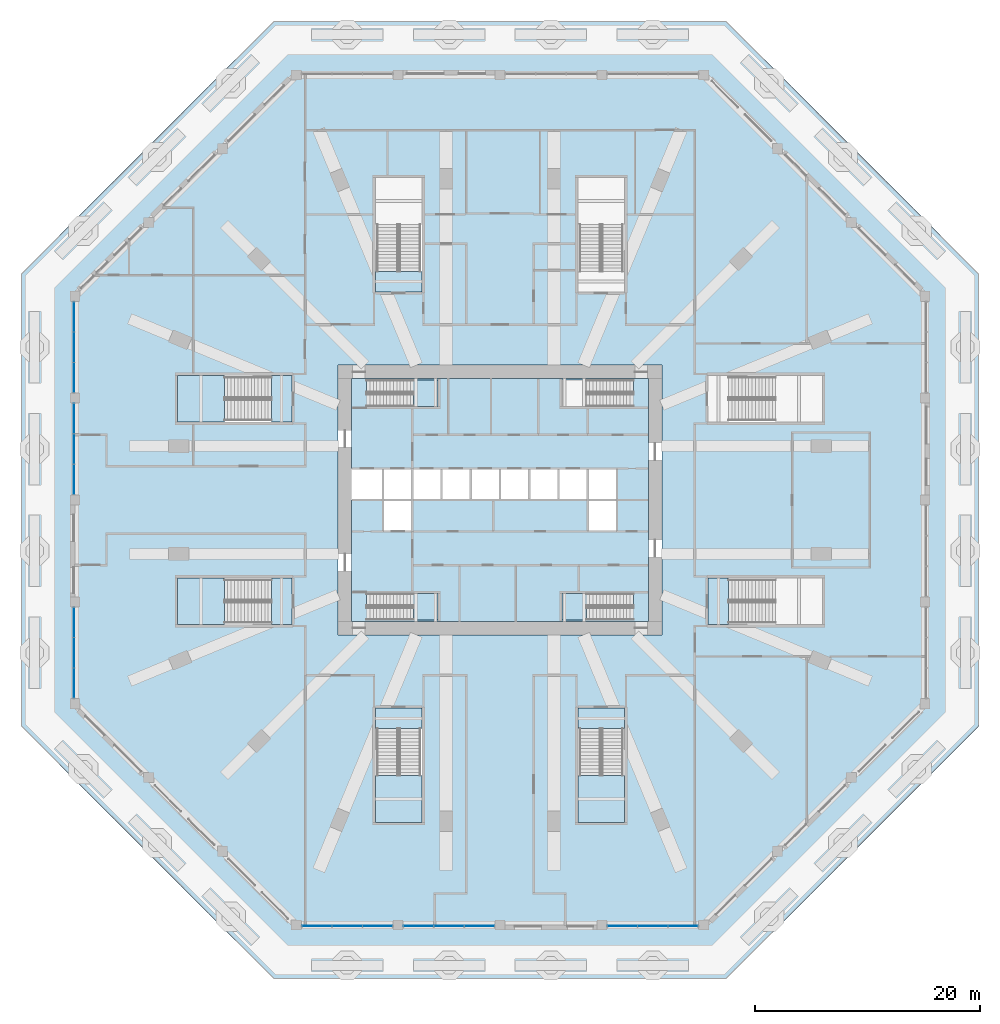
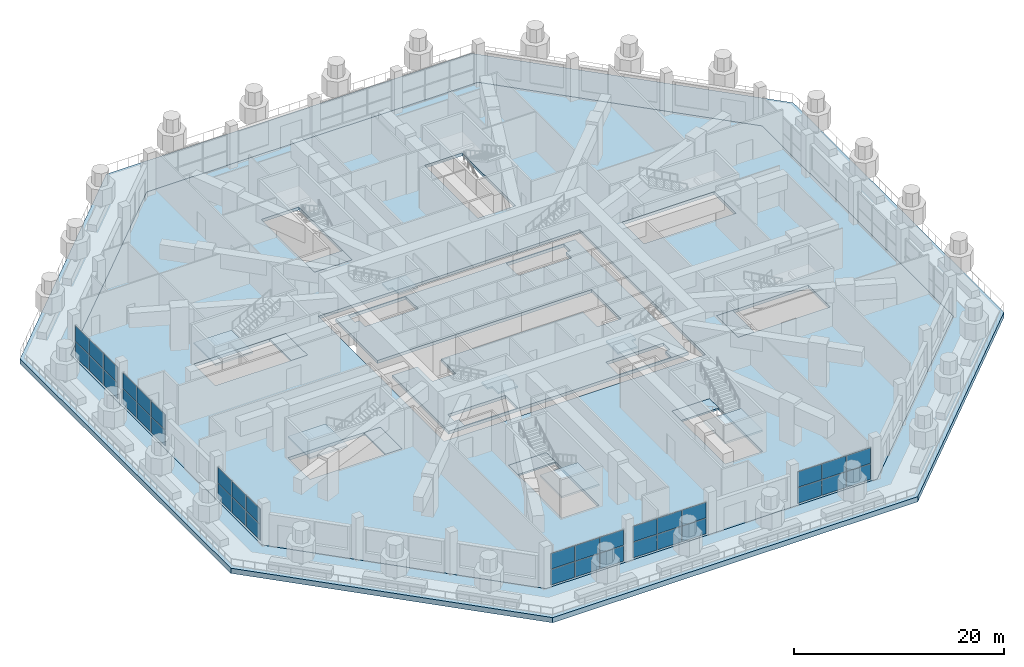
# One storey, part 12 of 25: 36 plates, 16 slabs, 13 elements without a shape of their own.
"""IFC4 building model written with IfcOpenShell, lengths in metres."""

from ifc_helpers import new_model, si_unit, direction, frame, origin, origin_2d, place, context, subcontext, project, spatial, polyline, rectangle, outline, extrude, material, layer, layer_set, type_object, element, aggregate, save


model = new_model("IFC4")

# Units and contexts
model_context = context("Model", 3, precision=1e-05, world=origin(), true_north=direction((0.0, 1.0)))
body_context = subcontext(model_context, "Body", "Model", "MODEL_VIEW")
ifc_project = project(units=[si_unit("LENGTHUNIT", "METRE"), si_unit("AREAUNIT", "SQUARE_METRE"), si_unit("VOLUMEUNIT", "CUBIC_METRE"), si_unit("PLANEANGLEUNIT", "RADIAN"), si_unit("MASSUNIT", "GRAM", prefix="KILO")], contexts=[model_context])

# Site, building, storey
site_placement = place(None, origin())
site = spatial("IfcSite", under=ifc_project, at=site_placement, CompositionType="ELEMENT")
building_placement = place(site_placement, origin())
building = spatial("IfcBuilding", under=site, at=building_placement, Name="Msitu Wima Residences", CompositionType="ELEMENT")
storey_placement = place(building_placement, frame((0.0, 0.0, 11.0)))
storey = spatial("IfcBuildingStorey", under=building, at=storey_placement, Name="L02", CompositionType="ELEMENT", Elevation=11.0)

# Slabs
ifc_material_1 = material(Name="Concrete C40/50", Category="concrete")
ifc_layer_1 = layer(ifc_material_1, 0.35009765625)
ifc_layer_set_1 = layer_set([ifc_layer_1], Name="Concrete C40/50")
slab_type_1 = type_object("IfcSlabType", Name="Core floor CF350", PredefinedType="FLOOR", material=ifc_layer_set_1)
slab_1_placement = place(storey_placement, frame((0.0, 0.0, -0.35009765625)))
element("IfcSlab", 1, at=slab_1_placement, inside=storey, type_object=slab_type_1, Name="Core floor", PredefinedType="FLOOR", context=body_context, shape_type="SweptSolid", body=[
    extrude(outline(polyline([(-13.199951171875, 10.800048828125), (-13.199951171875, 2.800048828125), (-10.39990234375, 2.800048828125), (-7.800048828125, 2.800048828125), (-5.199951171875, 2.800048828125), (-2.60009765625, 2.800048828125), (0.0, 2.800048828125), (2.60009765625, 2.800048828125), (5.199951171875, 2.800048828125), (7.800048828125, 2.800048828125), (10.39990234375, 2.800048828125), (10.39990234375, 0.0), (10.39990234375, -2.800048828125), (7.800048828125, -2.800048828125), (7.800048828125, 0.0), (5.199951171875, 0.0), (2.60009765625, 0.0), (0.0, 0.0), (-2.60009765625, 0.0), (-5.199951171875, 0.0), (-7.800048828125, 0.0), (-7.800048828125, -2.800048828125), (-10.39990234375, -2.800048828125), (-10.39990234375, 0.0), (-13.199951171875, 0.0), (-13.199951171875, -10.800048828125), (13.199951171875, -10.800048828125), (13.199951171875, 10.800048828125), (-13.199951171875, 10.800048828125)]), holes=[polyline([(-11.375, -10.675048828125), (-11.375, -9.574951171875), (-11.87451171875, -9.574951171875), (-11.87451171875, -8.324951171875), (-5.52490234375, -8.324951171875), (-5.52490234375, -10.675048828125), (-11.375, -10.675048828125)]), polyline([(-11.375, 9.425048828125), (-11.87451171875, 9.425048828125), (-11.87451171875, 10.675048828125), (-5.52490234375, 10.675048828125), (-5.52490234375, 8.324951171875), (-11.375, 8.324951171875), (-11.375, 9.425048828125)]), polyline([(11.375, -9.574951171875), (11.375, -10.675048828125), (5.52490234375, -10.675048828125), (5.52490234375, -8.324951171875), (11.87451171875, -8.324951171875), (11.87451171875, -9.574951171875), (11.375, -9.574951171875)]), polyline([(11.375, 9.425048828125), (11.375, 8.324951171875), (5.52490234375, 8.324951171875), (5.52490234375, 10.675048828125), (11.87451171875, 10.675048828125), (11.87451171875, 9.425048828125), (11.375, 9.425048828125)])]), origin(), (0.0, 0.0, 1.0), 0.35009765625),
])
ifc_layer_2 = layer(ifc_material_1, 0.35009765625)
ifc_layer_set_2 = layer_set([ifc_layer_2], Name="Concrete C40/50")
slab_type_2 = type_object("IfcSlabType", Name="Floor slab FS350", PredefinedType="FLOOR", material=ifc_layer_set_2)
slab_2_placement = place(storey_placement, frame((0.0, 0.0, -0.35009765625)))
element("IfcSlab", 2, at=slab_2_placement, inside=storey, type_object=slab_type_2, Name="Floor slab L02", PredefinedType="FLOOR", context=body_context, shape_type="SweptSolid", body=[
    extrude(outline(polyline([(18.252197265625, -38.10009765625), (-18.252197265625, -38.10009765625), (-38.10009765625, -18.252197265625), (-38.10009765625, 18.252197265625), (-18.252197265625, 38.10009765625), (18.252197265625, 38.10009765625), (38.10009765625, 18.252197265625), (38.10009765625, -18.252197265625), (18.252197265625, -38.10009765625)]), holes=[polyline([(14.39990234375, 12.0), (-14.39990234375, 12.0), (-14.39990234375, -12.0), (14.39990234375, -12.0), (14.39990234375, 12.0)]), polyline([(18.52490234375, 6.925048828125), (28.675048828125, 6.925048828125), (28.675048828125, 11.074951171875), (18.52490234375, 11.074951171875), (18.52490234375, 6.925048828125)]), polyline([(28.675048828125, -6.925048828125), (18.52490234375, -6.925048828125), (18.52490234375, -11.074951171875), (28.675048828125, -11.074951171875), (28.675048828125, -6.925048828125)]), polyline([(-11.074951171875, 28.675048828125), (-11.074951171875, 18.52490234375), (-6.925048828125, 18.52490234375), (-6.925048828125, 28.675048828125), (-11.074951171875, 28.675048828125)]), polyline([(11.074951171875, 18.52490234375), (11.074951171875, 28.675048828125), (6.925048828125, 28.675048828125), (6.925048828125, 18.52490234375), (11.074951171875, 18.52490234375)]), polyline([(-18.52490234375, -6.925048828125), (-28.675048828125, -6.925048828125), (-28.675048828125, -11.074951171875), (-18.52490234375, -11.074951171875), (-18.52490234375, -6.925048828125)]), polyline([(-28.675048828125, 6.925048828125), (-18.52490234375, 6.925048828125), (-18.52490234375, 11.074951171875), (-28.675048828125, 11.074951171875), (-28.675048828125, 6.925048828125)]), polyline([(11.074951171875, -28.675048828125), (11.074951171875, -18.52490234375), (6.925048828125, -18.52490234375), (6.925048828125, -28.675048828125), (11.074951171875, -28.675048828125)]), polyline([(-11.074951171875, -18.52490234375), (-11.074951171875, -28.675048828125), (-6.925048828125, -28.675048828125), (-6.925048828125, -18.52490234375), (-11.074951171875, -18.52490234375)])]), origin(), (0.0, 0.0, 1.0), 0.35009765625),
])

# Curtain wall, plates
ifc_material_2 = material(Name="Anodised aluminium, bronze finish, clear low-emissivity double glazing", Category="aluminium")
curtain_wall_type = type_object("IfcCurtainWallType", Name="Curtain wall CW6 podium winter garden", PredefinedType="NOTDEFINED", material=ifc_material_2)
curtain_wall_1_placement = place(storey_placement, origin())
curtain_wall_1 = element("IfcCurtainWall", 3, at=curtain_wall_1_placement, inside=storey, type_object=curtain_wall_type, Name="Curtain wall CW6 L02 W0", PredefinedType="NOTDEFINED")
ifc_material_3 = material(Name="Clear low-emissivity double glazing", Category="glass")
ifc_layer_3 = layer(ifc_material_3, 0.035888671875)
ifc_layer_set_3 = layer_set([ifc_layer_3], Name="Clear low-emissivity double glazing")
plate_type = type_object("IfcPlateType", Name="Glass panel CW6 36", PredefinedType="CURTAIN_PANEL", material=ifc_layer_set_3)
plate_1_placement = place(storey_placement, frame((-37.89990234375, 16.301025390625, 0.06494140625), z_axis=(0.0, 0.0, 1.0), x_axis=(0.0, -1.0, 0.0)))
plate_1 = element("IfcPlate", 4, at=plate_1_placement, type_object=plate_type, Name="CW6 panel 1.1", PredefinedType="CURTAIN_PANEL", context=body_context, shape_type="SweptSolid", body=[
    extrude(rectangle(XDim=2.623779296875, YDim=0.035888671875, at=origin_2d()), origin(), (0.0, 0.0, 1.0), 1.802490234375),
])
plate_2_placement = place(storey_placement, frame((-37.89990234375, 16.301025390625, 1.9326171875), z_axis=(0.0, 0.0, 1.0), x_axis=(0.0, -1.0, 0.0)))
plate_2 = element("IfcPlate", 5, at=plate_2_placement, type_object=plate_type, Name="CW6 panel 1.2", PredefinedType="CURTAIN_PANEL", context=body_context, shape_type="SweptSolid", body=[
    extrude(rectangle(XDim=2.623779296875, YDim=0.035888671875, at=origin_2d()), origin(), (0.0, 0.0, 1.0), 1.802490234375),
])
plate_3_placement = place(storey_placement, frame((-37.89990234375, 13.595947265625, 0.06494140625), z_axis=(0.0, 0.0, 1.0), x_axis=(0.0, -1.0, 0.0)))
plate_3 = element("IfcPlate", 6, at=plate_3_placement, type_object=plate_type, Name="CW6 panel 2.1", PredefinedType="CURTAIN_PANEL", context=body_context, shape_type="SweptSolid", body=[
    extrude(rectangle(XDim=2.65625, YDim=0.035888671875, at=origin_2d()), origin(), (0.0, 0.0, 1.0), 1.802490234375),
])
plate_4_placement = place(storey_placement, frame((-37.89990234375, 13.595947265625, 1.9326171875), z_axis=(0.0, 0.0, 1.0), x_axis=(0.0, -1.0, 0.0)))
plate_4 = element("IfcPlate", 7, at=plate_4_placement, type_object=plate_type, Name="CW6 panel 2.2", PredefinedType="CURTAIN_PANEL", context=body_context, shape_type="SweptSolid", body=[
    extrude(rectangle(XDim=2.65625, YDim=0.035888671875, at=origin_2d()), origin(), (0.0, 0.0, 1.0), 1.802490234375),
])
plate_5_placement = place(storey_placement, frame((-37.89990234375, 10.890869140625, 0.06494140625), z_axis=(0.0, 0.0, 1.0), x_axis=(0.0, -1.0, 0.0)))
plate_5 = element("IfcPlate", 8, at=plate_5_placement, type_object=plate_type, Name="CW6 panel 3.1", PredefinedType="CURTAIN_PANEL", context=body_context, shape_type="SweptSolid", body=[
    extrude(rectangle(XDim=2.623779296875, YDim=0.035888671875, at=origin_2d()), origin(), (0.0, 0.0, 1.0), 1.802490234375),
])
plate_6_placement = place(storey_placement, frame((-37.89990234375, 10.890869140625, 1.9326171875), z_axis=(0.0, 0.0, 1.0), x_axis=(0.0, -1.0, 0.0)))
plate_6 = element("IfcPlate", 9, at=plate_6_placement, type_object=plate_type, Name="CW6 panel 3.2", PredefinedType="CURTAIN_PANEL", context=body_context, shape_type="SweptSolid", body=[
    extrude(rectangle(XDim=2.623779296875, YDim=0.035888671875, at=origin_2d()), origin(), (0.0, 0.0, 1.0), 1.802490234375),
])
aggregate(curtain_wall_1, [plate_1, plate_2, plate_3, plate_4, plate_5, plate_6])

curtain_wall_2_placement = place(storey_placement, origin())
curtain_wall_2 = element("IfcCurtainWall", 10, at=curtain_wall_2_placement, inside=storey, type_object=curtain_wall_type, Name="Curtain wall CW6 L02 W1", PredefinedType="NOTDEFINED")
plate_7_placement = place(storey_placement, frame((-37.89990234375, 7.237060546875, 0.06494140625), z_axis=(0.0, 0.0, 1.0), x_axis=(0.0, -1.0, 0.0)))
plate_7 = element("IfcPlate", 11, at=plate_7_placement, type_object=plate_type, Name="CW6 panel 1.1", PredefinedType="CURTAIN_PANEL", context=body_context, shape_type="SweptSolid", body=[
    extrude(rectangle(XDim=2.623779296875, YDim=0.035888671875, at=origin_2d()), origin(), (0.0, 0.0, 1.0), 1.802490234375),
])
plate_8_placement = place(storey_placement, frame((-37.89990234375, 7.237060546875, 1.9326171875), z_axis=(0.0, 0.0, 1.0), x_axis=(0.0, -1.0, 0.0)))
plate_8 = element("IfcPlate", 12, at=plate_8_placement, type_object=plate_type, Name="CW6 panel 1.2", PredefinedType="CURTAIN_PANEL", context=body_context, shape_type="SweptSolid", body=[
    extrude(rectangle(XDim=2.623779296875, YDim=0.035888671875, at=origin_2d()), origin(), (0.0, 0.0, 1.0), 1.802490234375),
])
plate_9_placement = place(storey_placement, frame((-37.89990234375, 4.531982421875, 0.06494140625), z_axis=(0.0, 0.0, 1.0), x_axis=(0.0, -1.0, 0.0)))
plate_9 = element("IfcPlate", 13, at=plate_9_placement, type_object=plate_type, Name="CW6 panel 2.1", PredefinedType="CURTAIN_PANEL", context=body_context, shape_type="SweptSolid", body=[
    extrude(rectangle(XDim=2.65625, YDim=0.035888671875, at=origin_2d()), origin(), (0.0, 0.0, 1.0), 1.802490234375),
])
plate_10_placement = place(storey_placement, frame((-37.89990234375, 4.531982421875, 1.9326171875), z_axis=(0.0, 0.0, 1.0), x_axis=(0.0, -1.0, 0.0)))
plate_10 = element("IfcPlate", 14, at=plate_10_placement, type_object=plate_type, Name="CW6 panel 2.2", PredefinedType="CURTAIN_PANEL", context=body_context, shape_type="SweptSolid", body=[
    extrude(rectangle(XDim=2.65625, YDim=0.035888671875, at=origin_2d()), origin(), (0.0, 0.0, 1.0), 1.802490234375),
])
plate_11_placement = place(storey_placement, frame((-37.89990234375, 1.826904296875, 0.06494140625), z_axis=(0.0, 0.0, 1.0), x_axis=(0.0, -1.0, 0.0)))
plate_11 = element("IfcPlate", 15, at=plate_11_placement, type_object=plate_type, Name="CW6 panel 3.1", PredefinedType="CURTAIN_PANEL", context=body_context, shape_type="SweptSolid", body=[
    extrude(rectangle(XDim=2.623779296875, YDim=0.035888671875, at=origin_2d()), origin(), (0.0, 0.0, 1.0), 1.802490234375),
])
plate_12_placement = place(storey_placement, frame((-37.89990234375, 1.826904296875, 1.9326171875), z_axis=(0.0, 0.0, 1.0), x_axis=(0.0, -1.0, 0.0)))
plate_12 = element("IfcPlate", 16, at=plate_12_placement, type_object=plate_type, Name="CW6 panel 3.2", PredefinedType="CURTAIN_PANEL", context=body_context, shape_type="SweptSolid", body=[
    extrude(rectangle(XDim=2.623779296875, YDim=0.035888671875, at=origin_2d()), origin(), (0.0, 0.0, 1.0), 1.802490234375),
])
aggregate(curtain_wall_2, [plate_7, plate_8, plate_9, plate_10, plate_11, plate_12])

curtain_wall_3_placement = place(storey_placement, origin())
curtain_wall_3 = element("IfcCurtainWall", 17, at=curtain_wall_3_placement, inside=storey, type_object=curtain_wall_type, Name="Curtain wall CW6 L02 W3", PredefinedType="NOTDEFINED")
plate_13_placement = place(storey_placement, frame((-37.89990234375, -10.890869140625, 0.06494140625), z_axis=(0.0, 0.0, 1.0), x_axis=(0.0, -1.0, 0.0)))
plate_13 = element("IfcPlate", 18, at=plate_13_placement, type_object=plate_type, Name="CW6 panel 1.1", PredefinedType="CURTAIN_PANEL", context=body_context, shape_type="SweptSolid", body=[
    extrude(rectangle(XDim=2.623779296875, YDim=0.035888671875, at=origin_2d()), origin(), (0.0, 0.0, 1.0), 1.802490234375),
])
plate_14_placement = place(storey_placement, frame((-37.89990234375, -10.890869140625, 1.9326171875), z_axis=(0.0, 0.0, 1.0), x_axis=(0.0, -1.0, 0.0)))
plate_14 = element("IfcPlate", 19, at=plate_14_placement, type_object=plate_type, Name="CW6 panel 1.2", PredefinedType="CURTAIN_PANEL", context=body_context, shape_type="SweptSolid", body=[
    extrude(rectangle(XDim=2.623779296875, YDim=0.035888671875, at=origin_2d()), origin(), (0.0, 0.0, 1.0), 1.802490234375),
])
plate_15_placement = place(storey_placement, frame((-37.89990234375, -13.595947265625, 0.06494140625), z_axis=(0.0, 0.0, 1.0), x_axis=(0.0, -1.0, 0.0)))
plate_15 = element("IfcPlate", 20, at=plate_15_placement, type_object=plate_type, Name="CW6 panel 2.1", PredefinedType="CURTAIN_PANEL", context=body_context, shape_type="SweptSolid", body=[
    extrude(rectangle(XDim=2.65625, YDim=0.035888671875, at=origin_2d()), origin(), (0.0, 0.0, 1.0), 1.802490234375),
])
plate_16_placement = place(storey_placement, frame((-37.89990234375, -13.595947265625, 1.9326171875), z_axis=(0.0, 0.0, 1.0), x_axis=(0.0, -1.0, 0.0)))
plate_16 = element("IfcPlate", 21, at=plate_16_placement, type_object=plate_type, Name="CW6 panel 2.2", PredefinedType="CURTAIN_PANEL", context=body_context, shape_type="SweptSolid", body=[
    extrude(rectangle(XDim=2.65625, YDim=0.035888671875, at=origin_2d()), origin(), (0.0, 0.0, 1.0), 1.802490234375),
])
plate_17_placement = place(storey_placement, frame((-37.89990234375, -16.301025390625, 0.06494140625), z_axis=(0.0, 0.0, 1.0), x_axis=(0.0, -1.0, 0.0)))
plate_17 = element("IfcPlate", 22, at=plate_17_placement, type_object=plate_type, Name="CW6 panel 3.1", PredefinedType="CURTAIN_PANEL", context=body_context, shape_type="SweptSolid", body=[
    extrude(rectangle(XDim=2.623779296875, YDim=0.035888671875, at=origin_2d()), origin(), (0.0, 0.0, 1.0), 1.802490234375),
])
plate_18_placement = place(storey_placement, frame((-37.89990234375, -16.301025390625, 1.9326171875), z_axis=(0.0, 0.0, 1.0), x_axis=(0.0, -1.0, 0.0)))
plate_18 = element("IfcPlate", 23, at=plate_18_placement, type_object=plate_type, Name="CW6 panel 3.2", PredefinedType="CURTAIN_PANEL", context=body_context, shape_type="SweptSolid", body=[
    extrude(rectangle(XDim=2.623779296875, YDim=0.035888671875, at=origin_2d()), origin(), (0.0, 0.0, 1.0), 1.802490234375),
])
aggregate(curtain_wall_3, [plate_13, plate_14, plate_15, plate_16, plate_17, plate_18])

curtain_wall_4_placement = place(storey_placement, origin())
curtain_wall_4 = element("IfcCurtainWall", 24, at=curtain_wall_4_placement, inside=storey, type_object=curtain_wall_type, Name="Curtain wall CW6 L02 S0", PredefinedType="NOTDEFINED")
plate_19_placement = place(storey_placement, frame((-16.301025390625, -37.89990234375, 0.06494140625), z_axis=(0.0, 0.0, 1.0), x_axis=(1.0, 0.0, 0.0)))
plate_19 = element("IfcPlate", 25, at=plate_19_placement, type_object=plate_type, Name="CW6 panel 1.1", PredefinedType="CURTAIN_PANEL", context=body_context, shape_type="SweptSolid", body=[
    extrude(rectangle(XDim=2.623779296875, YDim=0.035888671875, at=origin_2d()), origin(), (0.0, 0.0, 1.0), 1.802490234375),
])
plate_20_placement = place(storey_placement, frame((-16.301025390625, -37.89990234375, 1.9326171875), z_axis=(0.0, 0.0, 1.0), x_axis=(1.0, 0.0, 0.0)))
plate_20 = element("IfcPlate", 26, at=plate_20_placement, type_object=plate_type, Name="CW6 panel 1.2", PredefinedType="CURTAIN_PANEL", context=body_context, shape_type="SweptSolid", body=[
    extrude(rectangle(XDim=2.623779296875, YDim=0.035888671875, at=origin_2d()), origin(), (0.0, 0.0, 1.0), 1.802490234375),
])
plate_21_placement = place(storey_placement, frame((-13.595947265625, -37.89990234375, 0.06494140625), z_axis=(0.0, 0.0, 1.0), x_axis=(1.0, 0.0, 0.0)))
plate_21 = element("IfcPlate", 27, at=plate_21_placement, type_object=plate_type, Name="CW6 panel 2.1", PredefinedType="CURTAIN_PANEL", context=body_context, shape_type="SweptSolid", body=[
    extrude(rectangle(XDim=2.65625, YDim=0.035888671875, at=origin_2d()), origin(), (0.0, 0.0, 1.0), 1.802490234375),
])
plate_22_placement = place(storey_placement, frame((-13.595947265625, -37.89990234375, 1.9326171875), z_axis=(0.0, 0.0, 1.0), x_axis=(1.0, 0.0, 0.0)))
plate_22 = element("IfcPlate", 28, at=plate_22_placement, type_object=plate_type, Name="CW6 panel 2.2", PredefinedType="CURTAIN_PANEL", context=body_context, shape_type="SweptSolid", body=[
    extrude(rectangle(XDim=2.65625, YDim=0.035888671875, at=origin_2d()), origin(), (0.0, 0.0, 1.0), 1.802490234375),
])
plate_23_placement = place(storey_placement, frame((-10.890869140625, -37.89990234375, 0.06494140625), z_axis=(0.0, 0.0, 1.0), x_axis=(1.0, 0.0, 0.0)))
plate_23 = element("IfcPlate", 29, at=plate_23_placement, type_object=plate_type, Name="CW6 panel 3.1", PredefinedType="CURTAIN_PANEL", context=body_context, shape_type="SweptSolid", body=[
    extrude(rectangle(XDim=2.623779296875, YDim=0.035888671875, at=origin_2d()), origin(), (0.0, 0.0, 1.0), 1.802490234375),
])
plate_24_placement = place(storey_placement, frame((-10.890869140625, -37.89990234375, 1.9326171875), z_axis=(0.0, 0.0, 1.0), x_axis=(1.0, 0.0, 0.0)))
plate_24 = element("IfcPlate", 30, at=plate_24_placement, type_object=plate_type, Name="CW6 panel 3.2", PredefinedType="CURTAIN_PANEL", context=body_context, shape_type="SweptSolid", body=[
    extrude(rectangle(XDim=2.623779296875, YDim=0.035888671875, at=origin_2d()), origin(), (0.0, 0.0, 1.0), 1.802490234375),
])
aggregate(curtain_wall_4, [plate_19, plate_20, plate_21, plate_22, plate_23, plate_24])

curtain_wall_5_placement = place(storey_placement, origin())
curtain_wall_5 = element("IfcCurtainWall", 31, at=curtain_wall_5_placement, inside=storey, type_object=curtain_wall_type, Name="Curtain wall CW6 L02 S1", PredefinedType="NOTDEFINED")
plate_25_placement = place(storey_placement, frame((-7.237060546875, -37.89990234375, 0.06494140625), z_axis=(0.0, 0.0, 1.0), x_axis=(1.0, 0.0, 0.0)))
plate_25 = element("IfcPlate", 32, at=plate_25_placement, type_object=plate_type, Name="CW6 panel 1.1", PredefinedType="CURTAIN_PANEL", context=body_context, shape_type="SweptSolid", body=[
    extrude(rectangle(XDim=2.623779296875, YDim=0.035888671875, at=origin_2d()), origin(), (0.0, 0.0, 1.0), 1.802490234375),
])
plate_26_placement = place(storey_placement, frame((-7.237060546875, -37.89990234375, 1.9326171875), z_axis=(0.0, 0.0, 1.0), x_axis=(1.0, 0.0, 0.0)))
plate_26 = element("IfcPlate", 33, at=plate_26_placement, type_object=plate_type, Name="CW6 panel 1.2", PredefinedType="CURTAIN_PANEL", context=body_context, shape_type="SweptSolid", body=[
    extrude(rectangle(XDim=2.623779296875, YDim=0.035888671875, at=origin_2d()), origin(), (0.0, 0.0, 1.0), 1.802490234375),
])
plate_27_placement = place(storey_placement, frame((-4.531982421875, -37.89990234375, 0.06494140625), z_axis=(0.0, 0.0, 1.0), x_axis=(1.0, 0.0, 0.0)))
plate_27 = element("IfcPlate", 34, at=plate_27_placement, type_object=plate_type, Name="CW6 panel 2.1", PredefinedType="CURTAIN_PANEL", context=body_context, shape_type="SweptSolid", body=[
    extrude(rectangle(XDim=2.65625, YDim=0.035888671875, at=origin_2d()), origin(), (0.0, 0.0, 1.0), 1.802490234375),
])
plate_28_placement = place(storey_placement, frame((-4.531982421875, -37.89990234375, 1.9326171875), z_axis=(0.0, 0.0, 1.0), x_axis=(1.0, 0.0, 0.0)))
plate_28 = element("IfcPlate", 35, at=plate_28_placement, type_object=plate_type, Name="CW6 panel 2.2", PredefinedType="CURTAIN_PANEL", context=body_context, shape_type="SweptSolid", body=[
    extrude(rectangle(XDim=2.65625, YDim=0.035888671875, at=origin_2d()), origin(), (0.0, 0.0, 1.0), 1.802490234375),
])
plate_29_placement = place(storey_placement, frame((-1.826904296875, -37.89990234375, 0.06494140625), z_axis=(0.0, 0.0, 1.0), x_axis=(1.0, 0.0, 0.0)))
plate_29 = element("IfcPlate", 36, at=plate_29_placement, type_object=plate_type, Name="CW6 panel 3.1", PredefinedType="CURTAIN_PANEL", context=body_context, shape_type="SweptSolid", body=[
    extrude(rectangle(XDim=2.623779296875, YDim=0.035888671875, at=origin_2d()), origin(), (0.0, 0.0, 1.0), 1.802490234375),
])
plate_30_placement = place(storey_placement, frame((-1.826904296875, -37.89990234375, 1.9326171875), z_axis=(0.0, 0.0, 1.0), x_axis=(1.0, 0.0, 0.0)))
plate_30 = element("IfcPlate", 37, at=plate_30_placement, type_object=plate_type, Name="CW6 panel 3.2", PredefinedType="CURTAIN_PANEL", context=body_context, shape_type="SweptSolid", body=[
    extrude(rectangle(XDim=2.623779296875, YDim=0.035888671875, at=origin_2d()), origin(), (0.0, 0.0, 1.0), 1.802490234375),
])
aggregate(curtain_wall_5, [plate_25, plate_26, plate_27, plate_28, plate_29, plate_30])

curtain_wall_6_placement = place(storey_placement, origin())
curtain_wall_6 = element("IfcCurtainWall", 38, at=curtain_wall_6_placement, inside=storey, type_object=curtain_wall_type, Name="Curtain wall CW6 L02 S3", PredefinedType="NOTDEFINED")
plate_31_placement = place(storey_placement, frame((10.890869140625, -37.89990234375, 0.06494140625), z_axis=(0.0, 0.0, 1.0), x_axis=(1.0, 0.0, 0.0)))
plate_31 = element("IfcPlate", 39, at=plate_31_placement, type_object=plate_type, Name="CW6 panel 1.1", PredefinedType="CURTAIN_PANEL", context=body_context, shape_type="SweptSolid", body=[
    extrude(rectangle(XDim=2.623779296875, YDim=0.035888671875, at=origin_2d()), origin(), (0.0, 0.0, 1.0), 1.802490234375),
])
plate_32_placement = place(storey_placement, frame((10.890869140625, -37.89990234375, 1.9326171875), z_axis=(0.0, 0.0, 1.0), x_axis=(1.0, 0.0, 0.0)))
plate_32 = element("IfcPlate", 40, at=plate_32_placement, type_object=plate_type, Name="CW6 panel 1.2", PredefinedType="CURTAIN_PANEL", context=body_context, shape_type="SweptSolid", body=[
    extrude(rectangle(XDim=2.623779296875, YDim=0.035888671875, at=origin_2d()), origin(), (0.0, 0.0, 1.0), 1.802490234375),
])
plate_33_placement = place(storey_placement, frame((13.595947265625, -37.89990234375, 0.06494140625), z_axis=(0.0, 0.0, 1.0), x_axis=(1.0, 0.0, 0.0)))
plate_33 = element("IfcPlate", 41, at=plate_33_placement, type_object=plate_type, Name="CW6 panel 2.1", PredefinedType="CURTAIN_PANEL", context=body_context, shape_type="SweptSolid", body=[
    extrude(rectangle(XDim=2.65625, YDim=0.035888671875, at=origin_2d()), origin(), (0.0, 0.0, 1.0), 1.802490234375),
])
plate_34_placement = place(storey_placement, frame((13.595947265625, -37.89990234375, 1.9326171875), z_axis=(0.0, 0.0, 1.0), x_axis=(1.0, 0.0, 0.0)))
plate_34 = element("IfcPlate", 42, at=plate_34_placement, type_object=plate_type, Name="CW6 panel 2.2", PredefinedType="CURTAIN_PANEL", context=body_context, shape_type="SweptSolid", body=[
    extrude(rectangle(XDim=2.65625, YDim=0.035888671875, at=origin_2d()), origin(), (0.0, 0.0, 1.0), 1.802490234375),
])
plate_35_placement = place(storey_placement, frame((16.301025390625, -37.89990234375, 0.06494140625), z_axis=(0.0, 0.0, 1.0), x_axis=(1.0, 0.0, 0.0)))
plate_35 = element("IfcPlate", 43, at=plate_35_placement, type_object=plate_type, Name="CW6 panel 3.1", PredefinedType="CURTAIN_PANEL", context=body_context, shape_type="SweptSolid", body=[
    extrude(rectangle(XDim=2.623779296875, YDim=0.035888671875, at=origin_2d()), origin(), (0.0, 0.0, 1.0), 1.802490234375),
])
plate_36_placement = place(storey_placement, frame((16.301025390625, -37.89990234375, 1.9326171875), z_axis=(0.0, 0.0, 1.0), x_axis=(1.0, 0.0, 0.0)))
plate_36 = element("IfcPlate", 44, at=plate_36_placement, type_object=plate_type, Name="CW6 panel 3.2", PredefinedType="CURTAIN_PANEL", context=body_context, shape_type="SweptSolid", body=[
    extrude(rectangle(XDim=2.623779296875, YDim=0.035888671875, at=origin_2d()), origin(), (0.0, 0.0, 1.0), 1.802490234375),
])
aggregate(curtain_wall_6, [plate_31, plate_32, plate_33, plate_34, plate_35, plate_36])

# Stair, slab
stair_type_1 = type_object("IfcStairType", Name="Exit stair ES1667-110", PredefinedType="HALF_TURN_STAIR", material=ifc_material_1)
stair_1_placement = place(storey_placement, origin())
stair_1 = element("IfcStair", 45, at=stair_1_placement, inside=storey, type_object=stair_type_1, Name="Exit stair 1", PredefinedType="HALF_TURN_STAIR")
ifc_layer_4 = layer(ifc_material_1, 0.199951171875)
ifc_layer_set_4 = layer_set([ifc_layer_4], Name="Concrete C40/50")
slab_type_3 = type_object("IfcSlabType", Name="Stair landing SL200", PredefinedType="LANDING", material=ifc_layer_set_4)
slab_3_placement = place(storey_placement, frame((0.0, 0.0, 2.300048828125)))
slab_3 = element("IfcSlab", 46, at=slab_3_placement, type_object=slab_type_3, Name="S1 landing 1", PredefinedType="LANDING", context=body_context, shape_type="SweptSolid", body=[
    extrude(outline(polyline([(-5.52490234375, 8.324951171875), (-7.675537109375, 8.324951171875), (-7.675537109375, 9.5), (-8.175048828125, 9.5), (-8.175048828125, 10.675048828125), (-5.52490234375, 10.675048828125), (-5.52490234375, 8.324951171875)])), origin(), (0.0, 0.0, 1.0), 0.199951171875),
])
aggregate(stair_1, [slab_3])

stair_2_placement = place(storey_placement, origin())
stair_2 = element("IfcStair", 47, at=stair_2_placement, inside=storey, type_object=stair_type_1, Name="Exit stair 2", PredefinedType="HALF_TURN_STAIR")
slab_4_placement = place(storey_placement, frame((0.0, 0.0, 2.300048828125)))
slab_4 = element("IfcSlab", 48, at=slab_4_placement, type_object=slab_type_3, Name="S2 landing 1", PredefinedType="LANDING", context=body_context, shape_type="SweptSolid", body=[
    extrude(outline(polyline([(-5.52490234375, -10.675048828125), (-7.675537109375, -10.675048828125), (-7.675537109375, -9.5), (-8.175048828125, -9.5), (-8.175048828125, -8.324951171875), (-5.52490234375, -8.324951171875), (-5.52490234375, -10.675048828125)])), origin(), (0.0, 0.0, 1.0), 0.199951171875),
])
aggregate(stair_2, [slab_4])

stair_3_placement = place(storey_placement, origin())
stair_3 = element("IfcStair", 49, at=stair_3_placement, inside=storey, type_object=stair_type_1, Name="Exit stair 4", PredefinedType="HALF_TURN_STAIR")
slab_5_placement = place(storey_placement, frame((0.0, 0.0, 2.300048828125)))
slab_5 = element("IfcSlab", 50, at=slab_5_placement, type_object=slab_type_3, Name="S4 landing 1", PredefinedType="LANDING", context=body_context, shape_type="SweptSolid", body=[
    extrude(outline(polyline([(5.52490234375, -10.675048828125), (7.675537109375, -10.675048828125), (7.675537109375, -9.5), (8.175048828125, -9.5), (8.175048828125, -8.324951171875), (5.52490234375, -8.324951171875), (5.52490234375, -10.675048828125)])), origin(), (0.0, 0.0, 1.0), 0.199951171875),
])
aggregate(stair_3, [slab_5])

# Slabs
slab_6_placement = place(storey_placement, frame((0.0, 0.0, -0.199951171875)))
element("IfcSlab", 51, at=slab_6_placement, inside=storey, type_object=slab_type_3, Name="Podium exit stair 2 floor landing", PredefinedType="LANDING", context=body_context, shape_type="SweptSolid", body=[
    extrude(outline(polyline([(18.52490234375, -6.925048828125), (20.324951171875, -6.925048828125), (20.324951171875, -11.074951171875), (18.52490234375, -11.074951171875), (18.52490234375, -6.925048828125)])), origin(), (0.0, 0.0, 1.0), 0.199951171875),
])
slab_7_placement = place(storey_placement, frame((0.0, 0.0, -0.199951171875)))
element("IfcSlab", 52, at=slab_7_placement, inside=storey, type_object=slab_type_3, Name="Podium exit stair 3 floor landing", PredefinedType="LANDING", context=body_context, shape_type="SweptSolid", body=[
    extrude(outline(polyline([(-6.925048828125, 18.52490234375), (-6.925048828125, 20.324951171875), (-11.074951171875, 20.324951171875), (-11.074951171875, 18.52490234375), (-6.925048828125, 18.52490234375)])), origin(), (0.0, 0.0, 1.0), 0.199951171875),
])

# Stair, slab
stair_type_2 = type_object("IfcStairType", Name="Podium exit stair PX1667-190", PredefinedType="HALF_TURN_STAIR", material=ifc_material_1)
stair_4_placement = place(storey_placement, origin())
stair_4 = element("IfcStair", 53, at=stair_4_placement, inside=storey, type_object=stair_type_2, Name="Podium exit stair 5", PredefinedType="HALF_TURN_STAIR")
slab_8_placement = place(storey_placement, frame((0.0, 0.0, 2.300048828125)))
slab_8 = element("IfcSlab", 54, at=slab_8_placement, type_object=slab_type_3, Name="PS5 landing 1", PredefinedType="LANDING", context=body_context, shape_type="SweptSolid", body=[
    extrude(outline(polyline([(-24.52490234375, -6.925048828125), (-28.675048828125, -6.925048828125), (-28.675048828125, -11.074951171875), (-24.52490234375, -11.074951171875), (-24.52490234375, -6.925048828125)])), origin(), (0.0, 0.0, 1.0), 0.199951171875),
])
aggregate(stair_4, [slab_8])

# Slab
slab_9_placement = place(storey_placement, frame((0.0, 0.0, -0.199951171875)))
element("IfcSlab", 55, at=slab_9_placement, inside=storey, type_object=slab_type_3, Name="Podium exit stair 5 floor landing", PredefinedType="LANDING", context=body_context, shape_type="SweptSolid", body=[
    extrude(outline(polyline([(-18.52490234375, -6.925048828125), (-20.324951171875, -6.925048828125), (-20.324951171875, -11.074951171875), (-18.52490234375, -11.074951171875), (-18.52490234375, -6.925048828125)])), origin(), (0.0, 0.0, 1.0), 0.199951171875),
])

# Stair, slab
stair_5_placement = place(storey_placement, origin())
stair_5 = element("IfcStair", 56, at=stair_5_placement, inside=storey, type_object=stair_type_2, Name="Podium exit stair 6", PredefinedType="HALF_TURN_STAIR")
slab_10_placement = place(storey_placement, frame((0.0, 0.0, 2.300048828125)))
slab_10 = element("IfcSlab", 57, at=slab_10_placement, type_object=slab_type_3, Name="PS6 landing 1", PredefinedType="LANDING", context=body_context, shape_type="SweptSolid", body=[
    extrude(outline(polyline([(-24.52490234375, 6.925048828125), (-28.675048828125, 6.925048828125), (-28.675048828125, 11.074951171875), (-24.52490234375, 11.074951171875), (-24.52490234375, 6.925048828125)])), origin(), (0.0, 0.0, 1.0), 0.199951171875),
])
aggregate(stair_5, [slab_10])

# Slab
slab_11_placement = place(storey_placement, frame((0.0, 0.0, -0.199951171875)))
element("IfcSlab", 58, at=slab_11_placement, inside=storey, type_object=slab_type_3, Name="Podium exit stair 6 floor landing", PredefinedType="LANDING", context=body_context, shape_type="SweptSolid", body=[
    extrude(outline(polyline([(-18.52490234375, 6.925048828125), (-20.324951171875, 6.925048828125), (-20.324951171875, 11.074951171875), (-18.52490234375, 11.074951171875), (-18.52490234375, 6.925048828125)])), origin(), (0.0, 0.0, 1.0), 0.199951171875),
])

# Stair, slab
stair_6_placement = place(storey_placement, origin())
stair_6 = element("IfcStair", 59, at=stair_6_placement, inside=storey, type_object=stair_type_2, Name="Podium exit stair 7", PredefinedType="HALF_TURN_STAIR")
slab_12_placement = place(storey_placement, frame((0.0, 0.0, 2.300048828125)))
slab_12 = element("IfcSlab", 60, at=slab_12_placement, type_object=slab_type_3, Name="PS7 landing 1", PredefinedType="LANDING", context=body_context, shape_type="SweptSolid", body=[
    extrude(outline(polyline([(6.925048828125, -24.52490234375), (6.925048828125, -28.675048828125), (11.074951171875, -28.675048828125), (11.074951171875, -24.52490234375), (6.925048828125, -24.52490234375)])), origin(), (0.0, 0.0, 1.0), 0.199951171875),
])
aggregate(stair_6, [slab_12])

# Slab
slab_13_placement = place(storey_placement, frame((0.0, 0.0, -0.199951171875)))
element("IfcSlab", 61, at=slab_13_placement, inside=storey, type_object=slab_type_3, Name="Podium exit stair 7 floor landing", PredefinedType="LANDING", context=body_context, shape_type="SweptSolid", body=[
    extrude(outline(polyline([(6.925048828125, -18.52490234375), (6.925048828125, -20.324951171875), (11.074951171875, -20.324951171875), (11.074951171875, -18.52490234375), (6.925048828125, -18.52490234375)])), origin(), (0.0, 0.0, 1.0), 0.199951171875),
])

# Stair, slab
stair_7_placement = place(storey_placement, origin())
stair_7 = element("IfcStair", 62, at=stair_7_placement, inside=storey, type_object=stair_type_2, Name="Podium exit stair 8", PredefinedType="HALF_TURN_STAIR")
slab_14_placement = place(storey_placement, frame((0.0, 0.0, 2.300048828125)))
slab_14 = element("IfcSlab", 63, at=slab_14_placement, type_object=slab_type_3, Name="PS8 landing 1", PredefinedType="LANDING", context=body_context, shape_type="SweptSolid", body=[
    extrude(outline(polyline([(-6.925048828125, -24.52490234375), (-6.925048828125, -28.675048828125), (-11.074951171875, -28.675048828125), (-11.074951171875, -24.52490234375), (-6.925048828125, -24.52490234375)])), origin(), (0.0, 0.0, 1.0), 0.199951171875),
])
aggregate(stair_7, [slab_14])

# Slabs
slab_15_placement = place(storey_placement, frame((0.0, 0.0, -0.199951171875)))
element("IfcSlab", 64, at=slab_15_placement, inside=storey, type_object=slab_type_3, Name="Podium exit stair 8 floor landing", PredefinedType="LANDING", context=body_context, shape_type="SweptSolid", body=[
    extrude(outline(polyline([(-6.925048828125, -18.52490234375), (-6.925048828125, -20.324951171875), (-11.074951171875, -20.324951171875), (-11.074951171875, -18.52490234375), (-6.925048828125, -18.52490234375)])), origin(), (0.0, 0.0, 1.0), 0.199951171875),
])
ifc_layer_5 = layer(ifc_material_1, 0.60009765625)
ifc_layer_set_5 = layer_set([ifc_layer_5], Name="Concrete C40/50")
slab_type_4 = type_object("IfcSlabType", Name="Terrace roof slab TS600", PredefinedType="ROOF", material=ifc_layer_set_5)
slab_16_placement = place(storey_placement, frame((0.0, 0.0, -0.60009765625)))
element("IfcSlab", 65, at=slab_16_placement, inside=storey, type_object=slab_type_4, Name="Garden terrace L01 roof slab", PredefinedType="ROOF", context=body_context, shape_type="SweptSolid", body=[
    extrude(outline(polyline([(20.1162109375, -42.60009765625), (-20.1162109375, -42.60009765625), (-42.60009765625, -20.1162109375), (-42.60009765625, 20.1162109375), (-20.1162109375, 42.60009765625), (20.1162109375, 42.60009765625), (42.60009765625, 20.1162109375), (42.60009765625, -20.1162109375), (20.1162109375, -42.60009765625)]), holes=[polyline([(38.10009765625, 18.252197265625), (18.252197265625, 38.10009765625), (-18.252197265625, 38.10009765625), (-38.10009765625, 18.252197265625), (-38.10009765625, -18.252197265625), (-18.252197265625, -38.10009765625), (18.252197265625, -38.10009765625), (38.10009765625, -18.252197265625), (38.10009765625, 18.252197265625)])]), origin(), (0.0, 0.0, 1.0), 0.60009765625),
])

save(model, "model.ifc")
